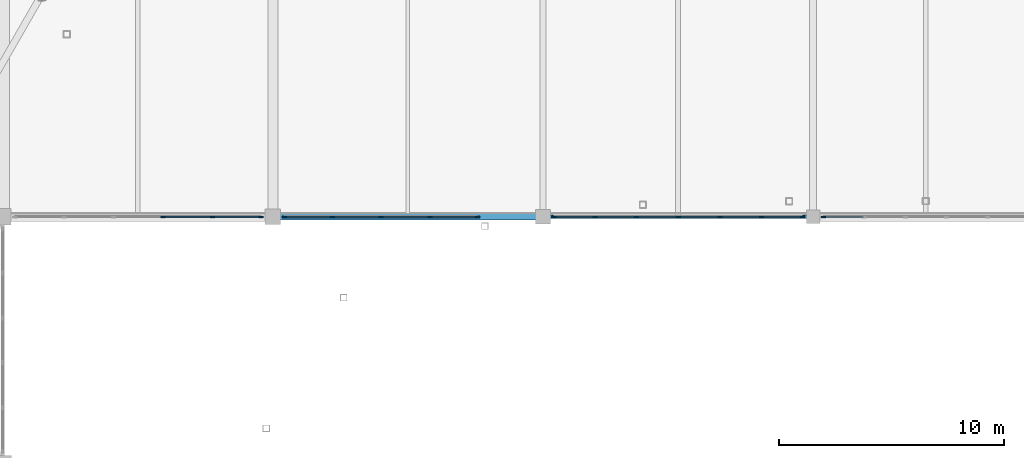
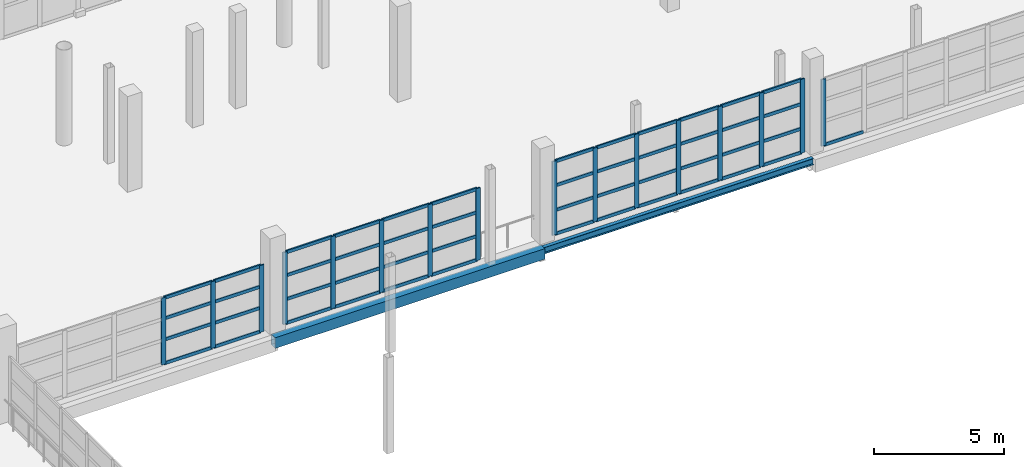
# One storey, part 43 of 118: 65 members, 2 beams, 4 elements without a shape of their own.
"""IFC4 building model written with IfcOpenShell, lengths in metres."""

from ifc_helpers import new_model, si_unit, direction, frame, origin, origin_2d, place, context, subcontext, project, spatial, rectangle, hollow_rectangle, i_section, extrude, material, material_profile, profile_set, type_object, element, aggregate, save


model = new_model("IFC4")

# Units and contexts
model_context = context("Model", 3, precision=1e-05, world=origin(), true_north=direction((0.0, 1.0)))
body_context = subcontext(model_context, "Body", "Model", "MODEL_VIEW")
ifc_project = project(units=[si_unit("LENGTHUNIT", "METRE"), si_unit("AREAUNIT", "SQUARE_METRE"), si_unit("VOLUMEUNIT", "CUBIC_METRE"), si_unit("PLANEANGLEUNIT", "RADIAN"), si_unit("MASSUNIT", "GRAM", prefix="KILO")], contexts=[model_context])

# Site, building, storey
site_placement = place(None, origin())
site = spatial("IfcSite", under=ifc_project, at=site_placement, CompositionType="ELEMENT")
building_placement = place(site_placement, origin())
building = spatial("IfcBuilding", under=site, at=building_placement, Name="Luwafu Chhajja Arena", CompositionType="ELEMENT")
storey_placement = place(building_placement, frame((0.0, 0.0, 10.199951171875)))
storey = spatial("IfcBuildingStorey", under=building, at=storey_placement, Name="L02", CompositionType="ELEMENT", Elevation=10.199951171875)

# Curtain wall, members
ifc_material_1 = material(Name="Anodised bronze aluminium", Category="aluminium")
curtain_wall_type = type_object("IfcCurtainWallType", Name="Hospitality Ring Curtain Wall", PredefinedType="USERDEFINED", material=ifc_material_1)
curtain_wall_1_placement = place(storey_placement, origin())
curtain_wall_1 = element("IfcCurtainWall", 1, at=curtain_wall_1_placement, inside=storey, type_object=curtain_wall_type, Name="L02 Bowl Viewing Curtain Wall CWR-L02-08", ObjectType="CURTAIN WALL", PredefinedType="USERDEFINED")
ifc_material_profile_1 = material_profile(ifc_material_1, rectangle(XDim=0.06494140625, YDim=0.199951171875, at=origin_2d()), Name="CWM 65x200")
ifc_profile_set_1 = profile_set([ifc_material_profile_1], Name="Anodised bronze aluminium")
member_type_1 = type_object("IfcMemberType", Name="Bronze Curtain Wall Mullion 65x200", PredefinedType="MULLION", material=ifc_profile_set_1)
member_1_placement = place(storey_placement, frame((65.112060546875, 77.0, 0.0), z_axis=(0.0, 0.0, 1.0), x_axis=(0.0, 1.0, 0.0)))
member_1 = element("IfcMember", 2, at=member_1_placement, type_object=member_type_1, Name="CW-02 mullion 4", PredefinedType="MULLION", context=body_context, shape_type="SweptSolid", body=[
    extrude(rectangle(XDim=0.06494140625, YDim=0.199951171875, at=origin_2d()), origin(), (0.0, 0.0, 1.0), 3.14013671875),
])
member_2_placement = place(storey_placement, frame((67.31103515625, 77.0, 0.0), z_axis=(0.0, 0.0, 1.0), x_axis=(0.0, 1.0, 0.0)))
member_2 = element("IfcMember", 3, at=member_2_placement, type_object=member_type_1, Name="CW-02 mullion 5", PredefinedType="MULLION", context=body_context, shape_type="SweptSolid", body=[
    extrude(rectangle(XDim=0.06494140625, YDim=0.199951171875, at=origin_2d()), origin(), (0.0, 0.0, 1.0), 3.14013671875),
])
member_3_placement = place(storey_placement, frame((69.4775390625, 77.0, 0.0), z_axis=(0.0, 0.0, 1.0), x_axis=(0.0, 1.0, 0.0)))
member_3 = element("IfcMember", 4, at=member_3_placement, type_object=member_type_1, Name="CW-02 mullion 6", PredefinedType="MULLION", context=body_context, shape_type="SweptSolid", body=[
    extrude(rectangle(XDim=0.06494140625, YDim=0.199951171875, at=origin_2d()), origin(), (0.0, 0.0, 1.0), 3.14013671875),
])

curtain_wall_2_placement = place(storey_placement, origin())
curtain_wall_2 = element("IfcCurtainWall", 5, at=curtain_wall_2_placement, inside=storey, type_object=curtain_wall_type, Name="L02 Bowl Viewing Curtain Wall CWR-L02-09", ObjectType="CURTAIN WALL", PredefinedType="USERDEFINED")
member_4_placement = place(storey_placement, frame((70.5224609375, 77.0, 0.0), z_axis=(0.0, 0.0, 1.0), x_axis=(0.0, 1.0, 0.0)))
member_4 = element("IfcMember", 6, at=member_4_placement, type_object=member_type_1, Name="CW-02 mullion 1", PredefinedType="MULLION", context=body_context, shape_type="SweptSolid", body=[
    extrude(rectangle(XDim=0.06494140625, YDim=0.199951171875, at=origin_2d()), origin(), (0.0, 0.0, 1.0), 3.39013671875),
])
member_5_placement = place(storey_placement, frame((72.65087890625, 77.0, 0.0), z_axis=(0.0, 0.0, 1.0), x_axis=(0.0, 1.0, 0.0)))
member_5 = element("IfcMember", 7, at=member_5_placement, type_object=member_type_1, Name="CW-02 mullion 2", PredefinedType="MULLION", context=body_context, shape_type="SweptSolid", body=[
    extrude(rectangle(XDim=0.06494140625, YDim=0.199951171875, at=origin_2d()), origin(), (0.0, 0.0, 1.0), 3.39013671875),
])
member_6_placement = place(storey_placement, frame((74.811767578125, 77.0, 0.0), z_axis=(0.0, 0.0, 1.0), x_axis=(0.0, 1.0, 0.0)))
member_6 = element("IfcMember", 8, at=member_6_placement, type_object=member_type_1, Name="CW-02 mullion 3", PredefinedType="MULLION", context=body_context, shape_type="SweptSolid", body=[
    extrude(rectangle(XDim=0.06494140625, YDim=0.199951171875, at=origin_2d()), origin(), (0.0, 0.0, 1.0), 3.39013671875),
])
member_7_placement = place(storey_placement, frame((76.97265625, 77.0, 0.0), z_axis=(0.0, 0.0, 1.0), x_axis=(0.0, 1.0, 0.0)))
member_7 = element("IfcMember", 9, at=member_7_placement, type_object=member_type_1, Name="CW-02 mullion 4", PredefinedType="MULLION", context=body_context, shape_type="SweptSolid", body=[
    extrude(rectangle(XDim=0.06494140625, YDim=0.199951171875, at=origin_2d()), origin(), (0.0, 0.0, 1.0), 3.39013671875),
])
member_8_placement = place(storey_placement, frame((79.100830078125, 77.0, 0.0), z_axis=(0.0, 0.0, 1.0), x_axis=(0.0, 1.0, 0.0)))
member_8 = element("IfcMember", 10, at=member_8_placement, type_object=member_type_1, Name="CW-02 mullion 5", PredefinedType="MULLION", context=body_context, shape_type="SweptSolid", body=[
    extrude(rectangle(XDim=0.06494140625, YDim=0.199951171875, at=origin_2d()), origin(), (0.0, 0.0, 1.0), 3.39013671875),
])

curtain_wall_3_placement = place(storey_placement, origin())
curtain_wall_3 = element("IfcCurtainWall", 11, at=curtain_wall_3_placement, inside=storey, type_object=curtain_wall_type, Name="L02 Bowl Viewing Curtain Wall CWR-L02-10", ObjectType="CURTAIN WALL", PredefinedType="USERDEFINED")
member_9_placement = place(storey_placement, frame((82.49755859375, 77.0, 0.0), z_axis=(0.0, 0.0, 1.0), x_axis=(0.0, 1.0, 0.0)))
member_9 = element("IfcMember", 12, at=member_9_placement, type_object=member_type_1, Name="CW-02 mullion 1", PredefinedType="MULLION", context=body_context, shape_type="SweptSolid", body=[
    extrude(rectangle(XDim=0.06494140625, YDim=0.199951171875, at=origin_2d()), origin(), (0.0, 0.0, 1.0), 3.469970703125),
])
member_10_placement = place(storey_placement, frame((84.314208984375, 77.0, 0.0), z_axis=(0.0, 0.0, 1.0), x_axis=(0.0, 1.0, 0.0)))
member_10 = element("IfcMember", 13, at=member_10_placement, type_object=member_type_1, Name="CW-02 mullion 2", PredefinedType="MULLION", context=body_context, shape_type="SweptSolid", body=[
    extrude(rectangle(XDim=0.06494140625, YDim=0.199951171875, at=origin_2d()), origin(), (0.0, 0.0, 1.0), 3.469970703125),
])
member_11_placement = place(storey_placement, frame((86.163330078125, 77.0, 0.0), z_axis=(0.0, 0.0, 1.0), x_axis=(0.0, 1.0, 0.0)))
member_11 = element("IfcMember", 14, at=member_11_placement, type_object=member_type_1, Name="CW-02 mullion 3", PredefinedType="MULLION", context=body_context, shape_type="SweptSolid", body=[
    extrude(rectangle(XDim=0.06494140625, YDim=0.199951171875, at=origin_2d()), origin(), (0.0, 0.0, 1.0), 3.469970703125),
])
member_12_placement = place(storey_placement, frame((88.012451171875, 77.0, 0.0), z_axis=(0.0, 0.0, 1.0), x_axis=(0.0, 1.0, 0.0)))
member_12 = element("IfcMember", 15, at=member_12_placement, type_object=member_type_1, Name="CW-02 mullion 4", PredefinedType="MULLION", context=body_context, shape_type="SweptSolid", body=[
    extrude(rectangle(XDim=0.06494140625, YDim=0.199951171875, at=origin_2d()), origin(), (0.0, 0.0, 1.0), 3.469970703125),
])
member_13_placement = place(storey_placement, frame((89.861572265625, 77.0, 0.0), z_axis=(0.0, 0.0, 1.0), x_axis=(0.0, 1.0, 0.0)))
member_13 = element("IfcMember", 16, at=member_13_placement, type_object=member_type_1, Name="CW-02 mullion 5", PredefinedType="MULLION", context=body_context, shape_type="SweptSolid", body=[
    extrude(rectangle(XDim=0.06494140625, YDim=0.199951171875, at=origin_2d()), origin(), (0.0, 0.0, 1.0), 3.469970703125),
])
member_14_placement = place(storey_placement, frame((91.7109375, 77.0, 0.0), z_axis=(0.0, 0.0, 1.0), x_axis=(0.0, 1.0, 0.0)))
member_14 = element("IfcMember", 17, at=member_14_placement, type_object=member_type_1, Name="CW-02 mullion 6", PredefinedType="MULLION", context=body_context, shape_type="SweptSolid", body=[
    extrude(rectangle(XDim=0.06494140625, YDim=0.199951171875, at=origin_2d()), origin(), (0.0, 0.0, 1.0), 3.469970703125),
])
member_15_placement = place(storey_placement, frame((93.527587890625, 77.0, 0.0), z_axis=(0.0, 0.0, 1.0), x_axis=(0.0, 1.0, 0.0)))
member_15 = element("IfcMember", 18, at=member_15_placement, type_object=member_type_1, Name="CW-02 mullion 7", PredefinedType="MULLION", context=body_context, shape_type="SweptSolid", body=[
    extrude(rectangle(XDim=0.06494140625, YDim=0.199951171875, at=origin_2d()), origin(), (0.0, 0.0, 1.0), 3.469970703125),
])

# Curtain wall, member
curtain_wall_4_placement = place(storey_placement, origin())
curtain_wall_4 = element("IfcCurtainWall", 19, at=curtain_wall_4_placement, inside=storey, type_object=curtain_wall_type, Name="L02 Bowl Viewing Curtain Wall CWR-L02-11", ObjectType="CURTAIN WALL", PredefinedType="USERDEFINED")
member_16_placement = place(storey_placement, frame((94.472412109375, 77.0, 0.0), z_axis=(0.0, 0.0, 1.0), x_axis=(0.0, 1.0, 0.0)))
member_16 = element("IfcMember", 20, at=member_16_placement, type_object=member_type_1, Name="CW-02 mullion 1", PredefinedType="MULLION", context=body_context, shape_type="SweptSolid", body=[
    extrude(rectangle(XDim=0.06494140625, YDim=0.199951171875, at=origin_2d()), origin(), (0.0, 0.0, 1.0), 3.14013671875),
])

# Member
ifc_material_profile_2 = material_profile(ifc_material_1, rectangle(XDim=0.06494140625, YDim=0.14990234375, at=origin_2d()), Name="CWT 65x150")
ifc_profile_set_2 = profile_set([ifc_material_profile_2], Name="Anodised bronze aluminium")
member_type_2 = type_object("IfcMemberType", Name="Bronze Curtain Wall Transom 65x150", PredefinedType="USERDEFINED", material=ifc_profile_set_2)
member_17_placement = place(storey_placement, frame((65.14453125, 77.0, 0.032470703125), z_axis=(1.0, 0.0, 0.0), x_axis=(0.0, 1.0, 0.0)))
member_17 = element("IfcMember", 21, at=member_17_placement, type_object=member_type_2, Name="CW-02 transom 4.1", ObjectType="TRANSOM", PredefinedType="USERDEFINED", context=body_context, shape_type="SweptSolid", body=[
    extrude(rectangle(XDim=0.06494140625, YDim=0.14990234375, at=origin_2d()), origin(), (0.0, 0.0, 1.0), 2.134033203125),
])

member_18_placement = place(storey_placement, frame((65.14453125, 77.0, 1.150146484375), z_axis=(1.0, 0.0, 0.0), x_axis=(0.0, 1.0, 0.0)))
member_18 = element("IfcMember", 22, at=member_18_placement, type_object=member_type_2, Name="CW-02 transom 4.2", ObjectType="TRANSOM", PredefinedType="USERDEFINED", context=body_context, shape_type="SweptSolid", body=[
    extrude(rectangle(XDim=0.06494140625, YDim=0.14990234375, at=origin_2d()), origin(), (0.0, 0.0, 1.0), 2.134033203125),
])

member_19_placement = place(storey_placement, frame((65.14453125, 77.0, 2.14501953125), z_axis=(1.0, 0.0, 0.0), x_axis=(0.0, 1.0, 0.0)))
member_19 = element("IfcMember", 23, at=member_19_placement, type_object=member_type_2, Name="CW-02 transom 4.3", ObjectType="TRANSOM", PredefinedType="USERDEFINED", context=body_context, shape_type="SweptSolid", body=[
    extrude(rectangle(XDim=0.06494140625, YDim=0.14990234375, at=origin_2d()), origin(), (0.0, 0.0, 1.0), 2.134033203125),
])

member_20_placement = place(storey_placement, frame((65.14453125, 77.0, 3.107666015625), z_axis=(1.0, 0.0, 0.0), x_axis=(0.0, 1.0, 0.0)))
member_20 = element("IfcMember", 24, at=member_20_placement, type_object=member_type_2, Name="CW-02 transom 4.4", ObjectType="TRANSOM", PredefinedType="USERDEFINED", context=body_context, shape_type="SweptSolid", body=[
    extrude(rectangle(XDim=0.06494140625, YDim=0.14990234375, at=origin_2d()), origin(), (0.0, 0.0, 1.0), 2.134033203125),
])

member_21_placement = place(storey_placement, frame((67.343505859375, 77.0, 0.032470703125), z_axis=(1.0, 0.0, 0.0), x_axis=(0.0, 1.0, 0.0)))
member_21 = element("IfcMember", 25, at=member_21_placement, type_object=member_type_2, Name="CW-02 transom 5.1", ObjectType="TRANSOM", PredefinedType="USERDEFINED", context=body_context, shape_type="SweptSolid", body=[
    extrude(rectangle(XDim=0.06494140625, YDim=0.14990234375, at=origin_2d()), origin(), (0.0, 0.0, 1.0), 2.1015625),
])

member_22_placement = place(storey_placement, frame((67.343505859375, 77.0, 1.150146484375), z_axis=(1.0, 0.0, 0.0), x_axis=(0.0, 1.0, 0.0)))
member_22 = element("IfcMember", 26, at=member_22_placement, type_object=member_type_2, Name="CW-02 transom 5.2", ObjectType="TRANSOM", PredefinedType="USERDEFINED", context=body_context, shape_type="SweptSolid", body=[
    extrude(rectangle(XDim=0.06494140625, YDim=0.14990234375, at=origin_2d()), origin(), (0.0, 0.0, 1.0), 2.1015625),
])

member_23_placement = place(storey_placement, frame((67.343505859375, 77.0, 2.14501953125), z_axis=(1.0, 0.0, 0.0), x_axis=(0.0, 1.0, 0.0)))
member_23 = element("IfcMember", 27, at=member_23_placement, type_object=member_type_2, Name="CW-02 transom 5.3", ObjectType="TRANSOM", PredefinedType="USERDEFINED", context=body_context, shape_type="SweptSolid", body=[
    extrude(rectangle(XDim=0.06494140625, YDim=0.14990234375, at=origin_2d()), origin(), (0.0, 0.0, 1.0), 2.1015625),
])

member_24_placement = place(storey_placement, frame((67.343505859375, 77.0, 3.107666015625), z_axis=(1.0, 0.0, 0.0), x_axis=(0.0, 1.0, 0.0)))
member_24 = element("IfcMember", 28, at=member_24_placement, type_object=member_type_2, Name="CW-02 transom 5.4", ObjectType="TRANSOM", PredefinedType="USERDEFINED", context=body_context, shape_type="SweptSolid", body=[
    extrude(rectangle(XDim=0.06494140625, YDim=0.14990234375, at=origin_2d()), origin(), (0.0, 0.0, 1.0), 2.1015625),
])

aggregate(curtain_wall_1, [member_1, member_2, member_3, member_17, member_18, member_19, member_20, member_21, member_22, member_23, member_24])

member_25_placement = place(storey_placement, frame((70.554931640625, 77.0, 0.032470703125), z_axis=(1.0, 0.0, 0.0), x_axis=(0.0, 1.0, 0.0)))
member_25 = element("IfcMember", 29, at=member_25_placement, type_object=member_type_2, Name="CW-02 transom 1.1", ObjectType="TRANSOM", PredefinedType="USERDEFINED", context=body_context, shape_type="SweptSolid", body=[
    extrude(rectangle(XDim=0.06494140625, YDim=0.14990234375, at=origin_2d()), origin(), (0.0, 0.0, 1.0), 2.0634765625),
])

member_26_placement = place(storey_placement, frame((70.554931640625, 77.0, 1.150146484375), z_axis=(1.0, 0.0, 0.0), x_axis=(0.0, 1.0, 0.0)))
member_26 = element("IfcMember", 30, at=member_26_placement, type_object=member_type_2, Name="CW-02 transom 1.2", ObjectType="TRANSOM", PredefinedType="USERDEFINED", context=body_context, shape_type="SweptSolid", body=[
    extrude(rectangle(XDim=0.06494140625, YDim=0.14990234375, at=origin_2d()), origin(), (0.0, 0.0, 1.0), 2.0634765625),
])

member_27_placement = place(storey_placement, frame((70.554931640625, 77.0, 2.27001953125), z_axis=(1.0, 0.0, 0.0), x_axis=(0.0, 1.0, 0.0)))
member_27 = element("IfcMember", 31, at=member_27_placement, type_object=member_type_2, Name="CW-02 transom 1.3", ObjectType="TRANSOM", PredefinedType="USERDEFINED", context=body_context, shape_type="SweptSolid", body=[
    extrude(rectangle(XDim=0.06494140625, YDim=0.14990234375, at=origin_2d()), origin(), (0.0, 0.0, 1.0), 2.0634765625),
])

member_28_placement = place(storey_placement, frame((70.554931640625, 77.0, 3.357666015625), z_axis=(1.0, 0.0, 0.0), x_axis=(0.0, 1.0, 0.0)))
member_28 = element("IfcMember", 32, at=member_28_placement, type_object=member_type_2, Name="CW-02 transom 1.4", ObjectType="TRANSOM", PredefinedType="USERDEFINED", context=body_context, shape_type="SweptSolid", body=[
    extrude(rectangle(XDim=0.06494140625, YDim=0.14990234375, at=origin_2d()), origin(), (0.0, 0.0, 1.0), 2.0634765625),
])

member_29_placement = place(storey_placement, frame((72.683349609375, 77.0, 0.032470703125), z_axis=(1.0, 0.0, 0.0), x_axis=(0.0, 1.0, 0.0)))
member_29 = element("IfcMember", 33, at=member_29_placement, type_object=member_type_2, Name="CW-02 transom 2.1", ObjectType="TRANSOM", PredefinedType="USERDEFINED", context=body_context, shape_type="SweptSolid", body=[
    extrude(rectangle(XDim=0.06494140625, YDim=0.14990234375, at=origin_2d()), origin(), (0.0, 0.0, 1.0), 2.095947265625),
])

member_30_placement = place(storey_placement, frame((72.683349609375, 77.0, 1.150146484375), z_axis=(1.0, 0.0, 0.0), x_axis=(0.0, 1.0, 0.0)))
member_30 = element("IfcMember", 34, at=member_30_placement, type_object=member_type_2, Name="CW-02 transom 2.2", ObjectType="TRANSOM", PredefinedType="USERDEFINED", context=body_context, shape_type="SweptSolid", body=[
    extrude(rectangle(XDim=0.06494140625, YDim=0.14990234375, at=origin_2d()), origin(), (0.0, 0.0, 1.0), 2.095947265625),
])

member_31_placement = place(storey_placement, frame((72.683349609375, 77.0, 2.27001953125), z_axis=(1.0, 0.0, 0.0), x_axis=(0.0, 1.0, 0.0)))
member_31 = element("IfcMember", 35, at=member_31_placement, type_object=member_type_2, Name="CW-02 transom 2.3", ObjectType="TRANSOM", PredefinedType="USERDEFINED", context=body_context, shape_type="SweptSolid", body=[
    extrude(rectangle(XDim=0.06494140625, YDim=0.14990234375, at=origin_2d()), origin(), (0.0, 0.0, 1.0), 2.095947265625),
])

member_32_placement = place(storey_placement, frame((72.683349609375, 77.0, 3.357666015625), z_axis=(1.0, 0.0, 0.0), x_axis=(0.0, 1.0, 0.0)))
member_32 = element("IfcMember", 36, at=member_32_placement, type_object=member_type_2, Name="CW-02 transom 2.4", ObjectType="TRANSOM", PredefinedType="USERDEFINED", context=body_context, shape_type="SweptSolid", body=[
    extrude(rectangle(XDim=0.06494140625, YDim=0.14990234375, at=origin_2d()), origin(), (0.0, 0.0, 1.0), 2.095947265625),
])

member_33_placement = place(storey_placement, frame((74.84423828125, 77.0, 0.032470703125), z_axis=(1.0, 0.0, 0.0), x_axis=(0.0, 1.0, 0.0)))
member_33 = element("IfcMember", 37, at=member_33_placement, type_object=member_type_2, Name="CW-02 transom 3.1", ObjectType="TRANSOM", PredefinedType="USERDEFINED", context=body_context, shape_type="SweptSolid", body=[
    extrude(rectangle(XDim=0.06494140625, YDim=0.14990234375, at=origin_2d()), origin(), (0.0, 0.0, 1.0), 2.095703125),
])

member_34_placement = place(storey_placement, frame((74.84423828125, 77.0, 1.150146484375), z_axis=(1.0, 0.0, 0.0), x_axis=(0.0, 1.0, 0.0)))
member_34 = element("IfcMember", 38, at=member_34_placement, type_object=member_type_2, Name="CW-02 transom 3.2", ObjectType="TRANSOM", PredefinedType="USERDEFINED", context=body_context, shape_type="SweptSolid", body=[
    extrude(rectangle(XDim=0.06494140625, YDim=0.14990234375, at=origin_2d()), origin(), (0.0, 0.0, 1.0), 2.095703125),
])

member_35_placement = place(storey_placement, frame((74.84423828125, 77.0, 2.27001953125), z_axis=(1.0, 0.0, 0.0), x_axis=(0.0, 1.0, 0.0)))
member_35 = element("IfcMember", 39, at=member_35_placement, type_object=member_type_2, Name="CW-02 transom 3.3", ObjectType="TRANSOM", PredefinedType="USERDEFINED", context=body_context, shape_type="SweptSolid", body=[
    extrude(rectangle(XDim=0.06494140625, YDim=0.14990234375, at=origin_2d()), origin(), (0.0, 0.0, 1.0), 2.095703125),
])

member_36_placement = place(storey_placement, frame((74.84423828125, 77.0, 3.357666015625), z_axis=(1.0, 0.0, 0.0), x_axis=(0.0, 1.0, 0.0)))
member_36 = element("IfcMember", 40, at=member_36_placement, type_object=member_type_2, Name="CW-02 transom 3.4", ObjectType="TRANSOM", PredefinedType="USERDEFINED", context=body_context, shape_type="SweptSolid", body=[
    extrude(rectangle(XDim=0.06494140625, YDim=0.14990234375, at=origin_2d()), origin(), (0.0, 0.0, 1.0), 2.095703125),
])

member_37_placement = place(storey_placement, frame((77.005126953125, 77.0, 0.032470703125), z_axis=(1.0, 0.0, 0.0), x_axis=(0.0, 1.0, 0.0)))
member_37 = element("IfcMember", 41, at=member_37_placement, type_object=member_type_2, Name="CW-02 transom 4.1", ObjectType="TRANSOM", PredefinedType="USERDEFINED", context=body_context, shape_type="SweptSolid", body=[
    extrude(rectangle(XDim=0.06494140625, YDim=0.14990234375, at=origin_2d()), origin(), (0.0, 0.0, 1.0), 2.063232421875),
])

member_38_placement = place(storey_placement, frame((77.005126953125, 77.0, 1.150146484375), z_axis=(1.0, 0.0, 0.0), x_axis=(0.0, 1.0, 0.0)))
member_38 = element("IfcMember", 42, at=member_38_placement, type_object=member_type_2, Name="CW-02 transom 4.2", ObjectType="TRANSOM", PredefinedType="USERDEFINED", context=body_context, shape_type="SweptSolid", body=[
    extrude(rectangle(XDim=0.06494140625, YDim=0.14990234375, at=origin_2d()), origin(), (0.0, 0.0, 1.0), 2.063232421875),
])

member_39_placement = place(storey_placement, frame((77.005126953125, 77.0, 2.27001953125), z_axis=(1.0, 0.0, 0.0), x_axis=(0.0, 1.0, 0.0)))
member_39 = element("IfcMember", 43, at=member_39_placement, type_object=member_type_2, Name="CW-02 transom 4.3", ObjectType="TRANSOM", PredefinedType="USERDEFINED", context=body_context, shape_type="SweptSolid", body=[
    extrude(rectangle(XDim=0.06494140625, YDim=0.14990234375, at=origin_2d()), origin(), (0.0, 0.0, 1.0), 2.063232421875),
])

member_40_placement = place(storey_placement, frame((77.005126953125, 77.0, 3.357666015625), z_axis=(1.0, 0.0, 0.0), x_axis=(0.0, 1.0, 0.0)))
member_40 = element("IfcMember", 44, at=member_40_placement, type_object=member_type_2, Name="CW-02 transom 4.4", ObjectType="TRANSOM", PredefinedType="USERDEFINED", context=body_context, shape_type="SweptSolid", body=[
    extrude(rectangle(XDim=0.06494140625, YDim=0.14990234375, at=origin_2d()), origin(), (0.0, 0.0, 1.0), 2.063232421875),
])

aggregate(curtain_wall_2, [member_4, member_5, member_6, member_7, member_8, member_25, member_26, member_27, member_28, member_29, member_30, member_31, member_32, member_33, member_34, member_35, member_36, member_37, member_38, member_39, member_40])

member_41_placement = place(storey_placement, frame((82.530029296875, 77.0, 0.032470703125), z_axis=(1.0, 0.0, 0.0), x_axis=(0.0, 1.0, 0.0)))
member_41 = element("IfcMember", 45, at=member_41_placement, type_object=member_type_2, Name="CW-02 transom 1.1", ObjectType="TRANSOM", PredefinedType="USERDEFINED", context=body_context, shape_type="SweptSolid", body=[
    extrude(rectangle(XDim=0.06494140625, YDim=0.14990234375, at=origin_2d()), origin(), (0.0, 0.0, 1.0), 1.751708984375),
])

member_42_placement = place(storey_placement, frame((82.530029296875, 77.0, 1.150146484375), z_axis=(1.0, 0.0, 0.0), x_axis=(0.0, 1.0, 0.0)))
member_42 = element("IfcMember", 46, at=member_42_placement, type_object=member_type_2, Name="CW-02 transom 1.2", ObjectType="TRANSOM", PredefinedType="USERDEFINED", context=body_context, shape_type="SweptSolid", body=[
    extrude(rectangle(XDim=0.06494140625, YDim=0.14990234375, at=origin_2d()), origin(), (0.0, 0.0, 1.0), 1.751708984375),
])

member_43_placement = place(storey_placement, frame((82.530029296875, 77.0, 2.31005859375), z_axis=(1.0, 0.0, 0.0), x_axis=(0.0, 1.0, 0.0)))
member_43 = element("IfcMember", 47, at=member_43_placement, type_object=member_type_2, Name="CW-02 transom 1.3", ObjectType="TRANSOM", PredefinedType="USERDEFINED", context=body_context, shape_type="SweptSolid", body=[
    extrude(rectangle(XDim=0.06494140625, YDim=0.14990234375, at=origin_2d()), origin(), (0.0, 0.0, 1.0), 1.751708984375),
])

member_44_placement = place(storey_placement, frame((82.530029296875, 77.0, 3.437255859375), z_axis=(1.0, 0.0, 0.0), x_axis=(0.0, 1.0, 0.0)))
member_44 = element("IfcMember", 48, at=member_44_placement, type_object=member_type_2, Name="CW-02 transom 1.4", ObjectType="TRANSOM", PredefinedType="USERDEFINED", context=body_context, shape_type="SweptSolid", body=[
    extrude(rectangle(XDim=0.06494140625, YDim=0.14990234375, at=origin_2d()), origin(), (0.0, 0.0, 1.0), 1.751708984375),
])

member_45_placement = place(storey_placement, frame((84.3466796875, 77.0, 0.032470703125), z_axis=(1.0, 0.0, 0.0), x_axis=(0.0, 1.0, 0.0)))
member_45 = element("IfcMember", 49, at=member_45_placement, type_object=member_type_2, Name="CW-02 transom 2.1", ObjectType="TRANSOM", PredefinedType="USERDEFINED", context=body_context, shape_type="SweptSolid", body=[
    extrude(rectangle(XDim=0.06494140625, YDim=0.14990234375, at=origin_2d()), origin(), (0.0, 0.0, 1.0), 1.7841796875),
])

member_46_placement = place(storey_placement, frame((84.3466796875, 77.0, 1.150146484375), z_axis=(1.0, 0.0, 0.0), x_axis=(0.0, 1.0, 0.0)))
member_46 = element("IfcMember", 50, at=member_46_placement, type_object=member_type_2, Name="CW-02 transom 2.2", ObjectType="TRANSOM", PredefinedType="USERDEFINED", context=body_context, shape_type="SweptSolid", body=[
    extrude(rectangle(XDim=0.06494140625, YDim=0.14990234375, at=origin_2d()), origin(), (0.0, 0.0, 1.0), 1.7841796875),
])

member_47_placement = place(storey_placement, frame((84.3466796875, 77.0, 2.31005859375), z_axis=(1.0, 0.0, 0.0), x_axis=(0.0, 1.0, 0.0)))
member_47 = element("IfcMember", 51, at=member_47_placement, type_object=member_type_2, Name="CW-02 transom 2.3", ObjectType="TRANSOM", PredefinedType="USERDEFINED", context=body_context, shape_type="SweptSolid", body=[
    extrude(rectangle(XDim=0.06494140625, YDim=0.14990234375, at=origin_2d()), origin(), (0.0, 0.0, 1.0), 1.7841796875),
])

member_48_placement = place(storey_placement, frame((84.3466796875, 77.0, 3.437255859375), z_axis=(1.0, 0.0, 0.0), x_axis=(0.0, 1.0, 0.0)))
member_48 = element("IfcMember", 52, at=member_48_placement, type_object=member_type_2, Name="CW-02 transom 2.4", ObjectType="TRANSOM", PredefinedType="USERDEFINED", context=body_context, shape_type="SweptSolid", body=[
    extrude(rectangle(XDim=0.06494140625, YDim=0.14990234375, at=origin_2d()), origin(), (0.0, 0.0, 1.0), 1.7841796875),
])

member_49_placement = place(storey_placement, frame((86.19580078125, 77.0, 0.032470703125), z_axis=(1.0, 0.0, 0.0), x_axis=(0.0, 1.0, 0.0)))
member_49 = element("IfcMember", 53, at=member_49_placement, type_object=member_type_2, Name="CW-02 transom 3.1", ObjectType="TRANSOM", PredefinedType="USERDEFINED", context=body_context, shape_type="SweptSolid", body=[
    extrude(rectangle(XDim=0.06494140625, YDim=0.14990234375, at=origin_2d()), origin(), (0.0, 0.0, 1.0), 1.7841796875),
])

member_50_placement = place(storey_placement, frame((86.19580078125, 77.0, 1.150146484375), z_axis=(1.0, 0.0, 0.0), x_axis=(0.0, 1.0, 0.0)))
member_50 = element("IfcMember", 54, at=member_50_placement, type_object=member_type_2, Name="CW-02 transom 3.2", ObjectType="TRANSOM", PredefinedType="USERDEFINED", context=body_context, shape_type="SweptSolid", body=[
    extrude(rectangle(XDim=0.06494140625, YDim=0.14990234375, at=origin_2d()), origin(), (0.0, 0.0, 1.0), 1.7841796875),
])

member_51_placement = place(storey_placement, frame((86.19580078125, 77.0, 2.31005859375), z_axis=(1.0, 0.0, 0.0), x_axis=(0.0, 1.0, 0.0)))
member_51 = element("IfcMember", 55, at=member_51_placement, type_object=member_type_2, Name="CW-02 transom 3.3", ObjectType="TRANSOM", PredefinedType="USERDEFINED", context=body_context, shape_type="SweptSolid", body=[
    extrude(rectangle(XDim=0.06494140625, YDim=0.14990234375, at=origin_2d()), origin(), (0.0, 0.0, 1.0), 1.7841796875),
])

member_52_placement = place(storey_placement, frame((86.19580078125, 77.0, 3.437255859375), z_axis=(1.0, 0.0, 0.0), x_axis=(0.0, 1.0, 0.0)))
member_52 = element("IfcMember", 56, at=member_52_placement, type_object=member_type_2, Name="CW-02 transom 3.4", ObjectType="TRANSOM", PredefinedType="USERDEFINED", context=body_context, shape_type="SweptSolid", body=[
    extrude(rectangle(XDim=0.06494140625, YDim=0.14990234375, at=origin_2d()), origin(), (0.0, 0.0, 1.0), 1.7841796875),
])

member_53_placement = place(storey_placement, frame((88.044921875, 77.0, 0.032470703125), z_axis=(1.0, 0.0, 0.0), x_axis=(0.0, 1.0, 0.0)))
member_53 = element("IfcMember", 57, at=member_53_placement, type_object=member_type_2, Name="CW-02 transom 4.1", ObjectType="TRANSOM", PredefinedType="USERDEFINED", context=body_context, shape_type="SweptSolid", body=[
    extrude(rectangle(XDim=0.06494140625, YDim=0.14990234375, at=origin_2d()), origin(), (0.0, 0.0, 1.0), 1.7841796875),
])

member_54_placement = place(storey_placement, frame((88.044921875, 77.0, 1.150146484375), z_axis=(1.0, 0.0, 0.0), x_axis=(0.0, 1.0, 0.0)))
member_54 = element("IfcMember", 58, at=member_54_placement, type_object=member_type_2, Name="CW-02 transom 4.2", ObjectType="TRANSOM", PredefinedType="USERDEFINED", context=body_context, shape_type="SweptSolid", body=[
    extrude(rectangle(XDim=0.06494140625, YDim=0.14990234375, at=origin_2d()), origin(), (0.0, 0.0, 1.0), 1.7841796875),
])

member_55_placement = place(storey_placement, frame((88.044921875, 77.0, 2.31005859375), z_axis=(1.0, 0.0, 0.0), x_axis=(0.0, 1.0, 0.0)))
member_55 = element("IfcMember", 59, at=member_55_placement, type_object=member_type_2, Name="CW-02 transom 4.3", ObjectType="TRANSOM", PredefinedType="USERDEFINED", context=body_context, shape_type="SweptSolid", body=[
    extrude(rectangle(XDim=0.06494140625, YDim=0.14990234375, at=origin_2d()), origin(), (0.0, 0.0, 1.0), 1.7841796875),
])

member_56_placement = place(storey_placement, frame((88.044921875, 77.0, 3.437255859375), z_axis=(1.0, 0.0, 0.0), x_axis=(0.0, 1.0, 0.0)))
member_56 = element("IfcMember", 60, at=member_56_placement, type_object=member_type_2, Name="CW-02 transom 4.4", ObjectType="TRANSOM", PredefinedType="USERDEFINED", context=body_context, shape_type="SweptSolid", body=[
    extrude(rectangle(XDim=0.06494140625, YDim=0.14990234375, at=origin_2d()), origin(), (0.0, 0.0, 1.0), 1.7841796875),
])

member_57_placement = place(storey_placement, frame((89.894287109375, 77.0, 0.032470703125), z_axis=(1.0, 0.0, 0.0), x_axis=(0.0, 1.0, 0.0)))
member_57 = element("IfcMember", 61, at=member_57_placement, type_object=member_type_2, Name="CW-02 transom 5.1", ObjectType="TRANSOM", PredefinedType="USERDEFINED", context=body_context, shape_type="SweptSolid", body=[
    extrude(rectangle(XDim=0.06494140625, YDim=0.14990234375, at=origin_2d()), origin(), (0.0, 0.0, 1.0), 1.783935546875),
])

member_58_placement = place(storey_placement, frame((89.894287109375, 77.0, 1.150146484375), z_axis=(1.0, 0.0, 0.0), x_axis=(0.0, 1.0, 0.0)))
member_58 = element("IfcMember", 62, at=member_58_placement, type_object=member_type_2, Name="CW-02 transom 5.2", ObjectType="TRANSOM", PredefinedType="USERDEFINED", context=body_context, shape_type="SweptSolid", body=[
    extrude(rectangle(XDim=0.06494140625, YDim=0.14990234375, at=origin_2d()), origin(), (0.0, 0.0, 1.0), 1.783935546875),
])

member_59_placement = place(storey_placement, frame((89.894287109375, 77.0, 2.31005859375), z_axis=(1.0, 0.0, 0.0), x_axis=(0.0, 1.0, 0.0)))
member_59 = element("IfcMember", 63, at=member_59_placement, type_object=member_type_2, Name="CW-02 transom 5.3", ObjectType="TRANSOM", PredefinedType="USERDEFINED", context=body_context, shape_type="SweptSolid", body=[
    extrude(rectangle(XDim=0.06494140625, YDim=0.14990234375, at=origin_2d()), origin(), (0.0, 0.0, 1.0), 1.783935546875),
])

member_60_placement = place(storey_placement, frame((89.894287109375, 77.0, 3.437255859375), z_axis=(1.0, 0.0, 0.0), x_axis=(0.0, 1.0, 0.0)))
member_60 = element("IfcMember", 64, at=member_60_placement, type_object=member_type_2, Name="CW-02 transom 5.4", ObjectType="TRANSOM", PredefinedType="USERDEFINED", context=body_context, shape_type="SweptSolid", body=[
    extrude(rectangle(XDim=0.06494140625, YDim=0.14990234375, at=origin_2d()), origin(), (0.0, 0.0, 1.0), 1.783935546875),
])

member_61_placement = place(storey_placement, frame((91.743408203125, 77.0, 0.032470703125), z_axis=(1.0, 0.0, 0.0), x_axis=(0.0, 1.0, 0.0)))
member_61 = element("IfcMember", 65, at=member_61_placement, type_object=member_type_2, Name="CW-02 transom 6.1", ObjectType="TRANSOM", PredefinedType="USERDEFINED", context=body_context, shape_type="SweptSolid", body=[
    extrude(rectangle(XDim=0.06494140625, YDim=0.14990234375, at=origin_2d()), origin(), (0.0, 0.0, 1.0), 1.751708984375),
])

member_62_placement = place(storey_placement, frame((91.743408203125, 77.0, 1.150146484375), z_axis=(1.0, 0.0, 0.0), x_axis=(0.0, 1.0, 0.0)))
member_62 = element("IfcMember", 66, at=member_62_placement, type_object=member_type_2, Name="CW-02 transom 6.2", ObjectType="TRANSOM", PredefinedType="USERDEFINED", context=body_context, shape_type="SweptSolid", body=[
    extrude(rectangle(XDim=0.06494140625, YDim=0.14990234375, at=origin_2d()), origin(), (0.0, 0.0, 1.0), 1.751708984375),
])

member_63_placement = place(storey_placement, frame((91.743408203125, 77.0, 2.31005859375), z_axis=(1.0, 0.0, 0.0), x_axis=(0.0, 1.0, 0.0)))
member_63 = element("IfcMember", 67, at=member_63_placement, type_object=member_type_2, Name="CW-02 transom 6.3", ObjectType="TRANSOM", PredefinedType="USERDEFINED", context=body_context, shape_type="SweptSolid", body=[
    extrude(rectangle(XDim=0.06494140625, YDim=0.14990234375, at=origin_2d()), origin(), (0.0, 0.0, 1.0), 1.751708984375),
])

member_64_placement = place(storey_placement, frame((91.743408203125, 77.0, 3.437255859375), z_axis=(1.0, 0.0, 0.0), x_axis=(0.0, 1.0, 0.0)))
member_64 = element("IfcMember", 68, at=member_64_placement, type_object=member_type_2, Name="CW-02 transom 6.4", ObjectType="TRANSOM", PredefinedType="USERDEFINED", context=body_context, shape_type="SweptSolid", body=[
    extrude(rectangle(XDim=0.06494140625, YDim=0.14990234375, at=origin_2d()), origin(), (0.0, 0.0, 1.0), 1.751708984375),
])

aggregate(curtain_wall_3, [member_9, member_10, member_11, member_12, member_13, member_14, member_15, member_41, member_42, member_43, member_44, member_45, member_46, member_47, member_48, member_49, member_50, member_51, member_52, member_53, member_54, member_55, member_56, member_57, member_58, member_59, member_60, member_61, member_62, member_63, member_64])

member_65_placement = place(storey_placement, frame((94.5048828125, 77.0, 0.032470703125), z_axis=(1.0, 0.0, 0.0), x_axis=(0.0, 1.0, 0.0)))
member_65 = element("IfcMember", 69, at=member_65_placement, type_object=member_type_2, Name="CW-02 transom 1.1", ObjectType="TRANSOM", PredefinedType="USERDEFINED", context=body_context, shape_type="SweptSolid", body=[
    extrude(rectangle(XDim=0.06494140625, YDim=0.14990234375, at=origin_2d()), origin(), (0.0, 0.0, 1.0), 1.731689453125),
])

aggregate(curtain_wall_4, [member_16, member_65])

# Beams
ifc_material_2 = material(Name="Steel S355", Category="steel")
ifc_material_profile_3 = material_profile(ifc_material_2, i_section(OverallWidth=0.165771484375, OverallDepth=0.306640625, WebThickness=0.006591796875, FlangeThickness=0.01171875, at=origin_2d()), Name="UB 305x165x46")
ifc_profile_set_3 = profile_set([ifc_material_profile_3], Name="Steel S355")
beam_type_1 = type_object("IfcBeamType", Name="Concourse Edge Spandrel Beam UB 305x165x46", PredefinedType="SPANDREL", material=ifc_profile_set_3)
beam_1_placement = place(storey_placement, frame((82.0, 77.0, -0.543212890625), z_axis=(1.0, 0.0, 0.0), x_axis=(0.0, 1.0, 0.0)))
element("IfcBeam", 70, at=beam_1_placement, inside=storey, type_object=beam_type_1, Name="L02 Grid Beam 8-9/H", PredefinedType="SPANDREL", context=body_context, shape_type="SweptSolid", body=[
    extrude(i_section(OverallWidth=0.165771484375, OverallDepth=0.306640625, WebThickness=0.006591796875, FlangeThickness=0.01171875, at=origin_2d()), origin(), (0.0, 0.0, 1.0), 12.0),
])
ifc_material_profile_4 = material_profile(ifc_material_2, hollow_rectangle(XDim=0.300048828125, YDim=0.5, WallThickness=0.02001953125, at=origin_2d()), Name="RHS 500x300x20")
ifc_profile_set_4 = profile_set([ifc_material_profile_4], Name="Steel S355")
beam_type_2 = type_object("IfcBeamType", Name="Pleated Drum Spandrel Beam RHS 500x300", PredefinedType="SPANDREL", material=ifc_profile_set_4)
beam_2_placement = place(storey_placement, frame((70.0, 77.0, -0.639892578125), z_axis=(1.0, 0.0, 0.0), x_axis=(0.0, 1.0, 0.0)))
element("IfcBeam", 71, at=beam_2_placement, inside=storey, type_object=beam_type_2, Name="L02 Grid Beam 7-8/H", PredefinedType="SPANDREL", context=body_context, shape_type="SweptSolid", body=[
    extrude(hollow_rectangle(XDim=0.300048828125, YDim=0.5, WallThickness=0.02001953125, at=origin_2d()), origin(), (0.0, 0.0, 1.0), 12.0),
])

save(model, "model.ifc")
